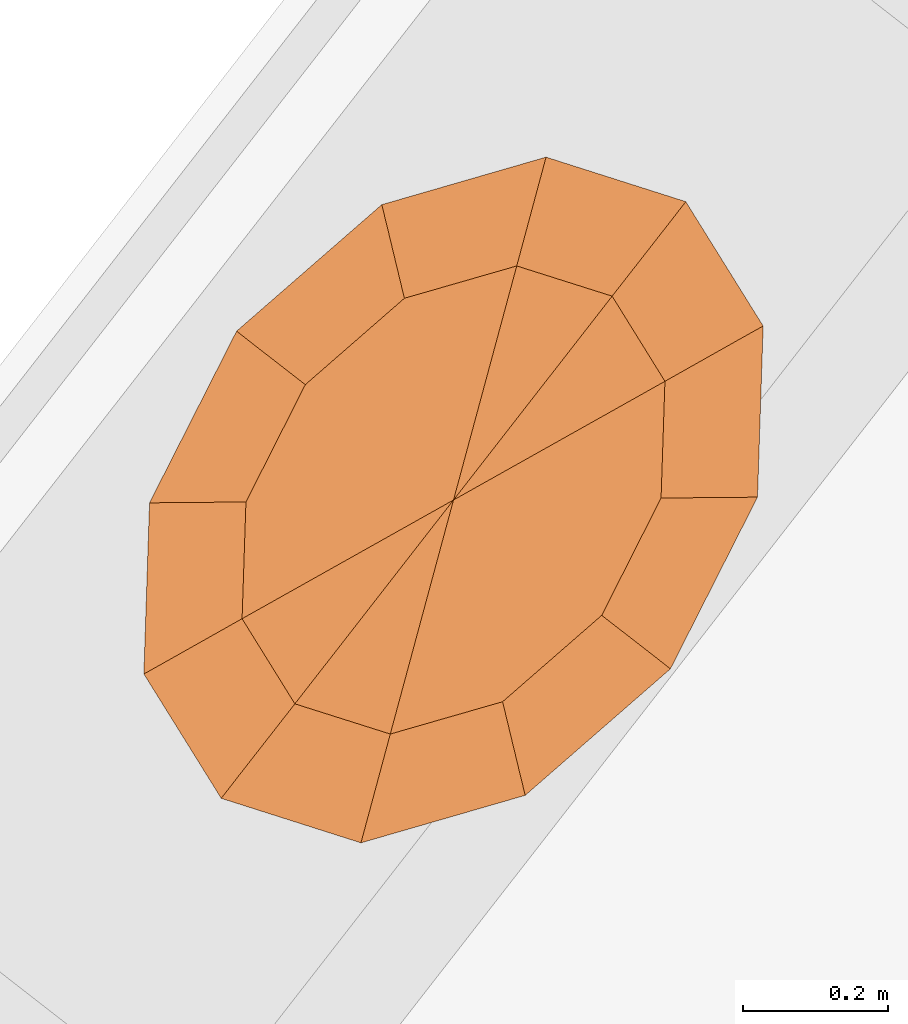
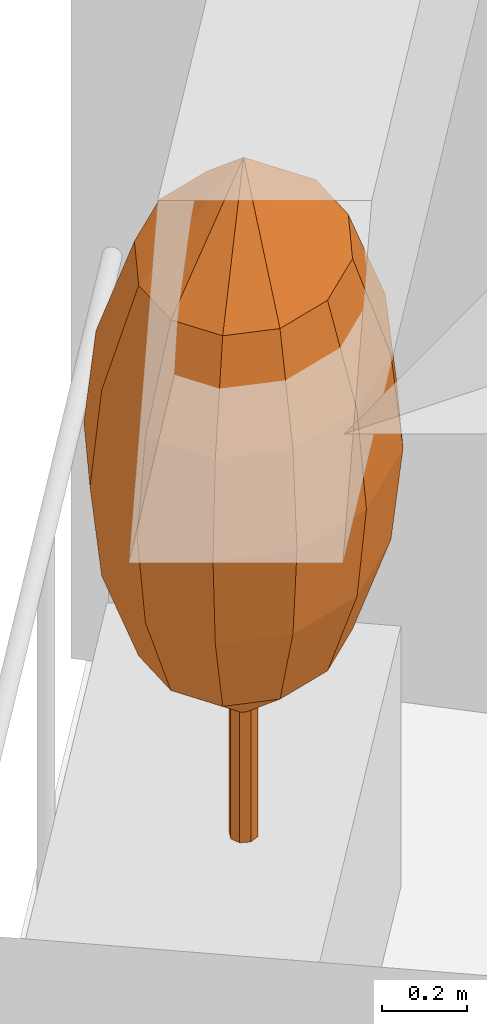
# One storey, part 12 of 12: 1 geographic element.
"""IFC4 building model written with IfcOpenShell, lengths in metres."""

from ifc_helpers import new_model, si_unit, direction, frame, origin, place, context, subcontext, project, spatial, faceted_brep, material, constituent, constituent_set, type_object, element, save


model = new_model("IFC4")

# Units and contexts
model_context = context("Model", 3, precision=1e-05, world=origin(), true_north=direction((0.0, 1.0)))
body_context = subcontext(model_context, "Body", "Model", "MODEL_VIEW")
ifc_project = project(units=[si_unit("LENGTHUNIT", "METRE"), si_unit("AREAUNIT", "SQUARE_METRE"), si_unit("VOLUMEUNIT", "CUBIC_METRE"), si_unit("PLANEANGLEUNIT", "RADIAN"), si_unit("MASSUNIT", "GRAM", prefix="KILO")], contexts=[model_context])

# Site, building, storey
site_placement = place(None, origin())
site = spatial("IfcSite", under=ifc_project, at=site_placement, CompositionType="ELEMENT")
building_placement = place(site_placement, origin())
building = spatial("IfcBuilding", under=site, at=building_placement, Name="Taillehof Tower", CompositionType="ELEMENT")
storey_placement = place(building_placement, frame((0.0, 0.0, 199.10009765625)))
storey = spatial("IfcBuildingStorey", under=building, at=storey_placement, Name="L56", CompositionType="ELEMENT", Elevation=199.10009765625)

# Geographic element
ifc_material_1 = material(Name="Tree bark", Category="timber")
ifc_constituent_1 = constituent(ifc_material_1, Name="Trunk", Category="timber")
ifc_material_2 = material(Name="Tree foliage")
ifc_constituent_2 = constituent(ifc_material_2, Name="Crown")
ifc_constituent_set = constituent_set(constituents=[ifc_constituent_1, ifc_constituent_2], Name="Tree TR2 Fastigiate yew")
geographic_element_type = type_object("IfcGeographicElementType", Name="Tree TR2 Fastigiate yew", PredefinedType="USERDEFINED", material=ifc_constituent_set)
geographic_element_placement = place(storey_placement, frame((-20.50341796875, 14.267822265625, 0.75)))
element("IfcGeographicElement", 1, at=geographic_element_placement, inside=storey, type_object=geographic_element_type, Name="Tree TR2 Fastigiate yew", ObjectType="TREE", PredefinedType="USERDEFINED", context=body_context, shape_type="Brep", body=[
    faceted_brep([(0.034912109375, 0.0, 0.0), (0.024658203125, 0.024658203125, 0.0), (0.024658203125, 0.024658203125, 0.909912109375), (0.034912109375, 0.0, 0.909912109375), (0.0, 0.034912109375, 0.0), (0.0, 0.034912109375, 0.909912109375), (-0.024658203125, 0.024658203125, 0.0), (-0.024658203125, 0.024658203125, 0.909912109375), (-0.034912109375, 0.0, 0.0), (-0.034912109375, 0.0, 0.909912109375), (-0.024658203125, -0.024658203125, 0.0), (-0.024658203125, -0.024658203125, 0.909912109375), (0.0, -0.034912109375, 0.0), (0.0, -0.034912109375, 0.909912109375), (0.024658203125, -0.024658203125, 0.0), (0.024658203125, -0.024658203125, 0.909912109375)], [[[0, 1, 2, 3]], [[1, 4, 5, 2]], [[4, 6, 7, 5]], [[6, 8, 9, 7]], [[8, 10, 11, 9]], [[10, 12, 13, 11]], [[12, 14, 15, 13]], [[14, 0, 3, 15]], [[14, 12, 10, 8, 6, 4, 1, 0]], [[3, 2, 5, 7, 9, 11, 13, 15]]]),
    faceted_brep([(0.0, 0.0, 0.35009765625), (-0.08740234375, -0.323486328125, 0.61669921875), (-0.21923828125, -0.28173828125, 0.61669921875), (0.06787109375, -0.27880859375, 0.61669921875), (0.204833984375, -0.159423828125, 0.61669921875), (0.286865234375, 0.002685546875, 0.61669921875), (0.292236328125, 0.1640625, 0.61669921875), (0.21923828125, 0.28173828125, 0.61669921875), (0.08740234375, 0.323486328125, 0.61669921875), (-0.06787109375, 0.27880859375, 0.61669921875), (-0.204833984375, 0.159423828125, 0.61669921875), (-0.286865234375, -0.002685546875, 0.61669921875), (-0.292236328125, -0.1640625, 0.61669921875), (-0.1181640625, -0.437744140625, 0.88330078125), (-0.296630859375, -0.380859375, 0.88330078125), (0.091552734375, -0.377197265625, 0.88330078125), (0.277099609375, -0.215576171875, 0.88330078125), (0.38818359375, 0.003662109375, 0.88330078125), (0.395263671875, 0.22216796875, 0.88330078125), (0.296630859375, 0.380859375, 0.88330078125), (0.1181640625, 0.437744140625, 0.88330078125), (-0.091552734375, 0.377197265625, 0.88330078125), (-0.277099609375, 0.215576171875, 0.88330078125), (-0.38818359375, -0.003662109375, 0.88330078125), (-0.395263671875, -0.22216796875, 0.88330078125), (-0.1279296875, -0.473876953125, 1.14990234375), (-0.321044921875, -0.412353515625, 1.14990234375), (0.09912109375, -0.408203125, 1.14990234375), (0.2998046875, -0.2333984375, 1.14990234375), (0.420166015625, 0.00390625, 1.14990234375), (0.427978515625, 0.240478515625, 1.14990234375), (0.321044921875, 0.412353515625, 1.14990234375), (0.1279296875, 0.473876953125, 1.14990234375), (-0.09912109375, 0.408203125, 1.14990234375), (-0.2998046875, 0.2333984375, 1.14990234375), (-0.420166015625, -0.00390625, 1.14990234375), (-0.427978515625, -0.240478515625, 1.14990234375), (-0.1181640625, -0.437744140625, 1.416748046875), (-0.296630859375, -0.380859375, 1.416748046875), (0.091552734375, -0.377197265625, 1.416748046875), (0.277099609375, -0.215576171875, 1.416748046875), (0.38818359375, 0.003662109375, 1.416748046875), (0.395263671875, 0.22216796875, 1.416748046875), (0.296630859375, 0.380859375, 1.416748046875), (0.1181640625, 0.437744140625, 1.416748046875), (-0.091552734375, 0.377197265625, 1.416748046875), (-0.277099609375, 0.215576171875, 1.416748046875), (-0.38818359375, -0.003662109375, 1.416748046875), (-0.395263671875, -0.22216796875, 1.416748046875), (-0.08740234375, -0.323486328125, 1.683349609375), (-0.21923828125, -0.28173828125, 1.683349609375), (0.06787109375, -0.27880859375, 1.683349609375), (0.204833984375, -0.159423828125, 1.683349609375), (0.286865234375, 0.002685546875, 1.683349609375), (0.292236328125, 0.1640625, 1.683349609375), (0.21923828125, 0.28173828125, 1.683349609375), (0.08740234375, 0.323486328125, 1.683349609375), (-0.06787109375, 0.27880859375, 1.683349609375), (-0.204833984375, 0.159423828125, 1.683349609375), (-0.286865234375, -0.002685546875, 1.683349609375), (-0.292236328125, -0.1640625, 1.683349609375), (0.0, 0.0, 1.949951171875)], [[[0, 1, 2]], [[0, 3, 1]], [[0, 4, 3]], [[0, 5, 4]], [[0, 6, 5]], [[0, 7, 6]], [[0, 8, 7]], [[0, 9, 8]], [[0, 10, 9]], [[0, 11, 10]], [[0, 12, 11]], [[0, 2, 12]], [[2, 1, 13, 14]], [[1, 3, 15, 13]], [[3, 4, 16, 15]], [[4, 5, 17, 16]], [[5, 6, 18, 17]], [[6, 7, 19, 18]], [[7, 8, 20, 19]], [[8, 9, 21, 20]], [[9, 10, 22, 21]], [[10, 11, 23, 22]], [[11, 12, 24, 23]], [[12, 2, 14, 24]], [[14, 13, 25, 26]], [[13, 15, 27, 25]], [[15, 16, 28, 27]], [[16, 17, 29, 28]], [[17, 18, 30, 29]], [[18, 19, 31, 30]], [[19, 20, 32, 31]], [[20, 21, 33, 32]], [[21, 22, 34, 33]], [[22, 23, 35, 34]], [[23, 24, 36, 35]], [[24, 14, 26, 36]], [[26, 25, 37, 38]], [[25, 27, 39, 37]], [[27, 28, 40, 39]], [[28, 29, 41, 40]], [[29, 30, 42, 41]], [[30, 31, 43, 42]], [[31, 32, 44, 43]], [[32, 33, 45, 44]], [[33, 34, 46, 45]], [[34, 35, 47, 46]], [[35, 36, 48, 47]], [[36, 26, 38, 48]], [[38, 37, 49, 50]], [[37, 39, 51, 49]], [[39, 40, 52, 51]], [[40, 41, 53, 52]], [[41, 42, 54, 53]], [[42, 43, 55, 54]], [[43, 44, 56, 55]], [[44, 45, 57, 56]], [[45, 46, 58, 57]], [[46, 47, 59, 58]], [[47, 48, 60, 59]], [[48, 38, 50, 60]], [[50, 49, 61]], [[49, 51, 61]], [[51, 52, 61]], [[52, 53, 61]], [[53, 54, 61]], [[54, 55, 61]], [[55, 56, 61]], [[56, 57, 61]], [[57, 58, 61]], [[58, 59, 61]], [[59, 60, 61]], [[60, 50, 61]]]),
])

save(model, "model.ifc")
